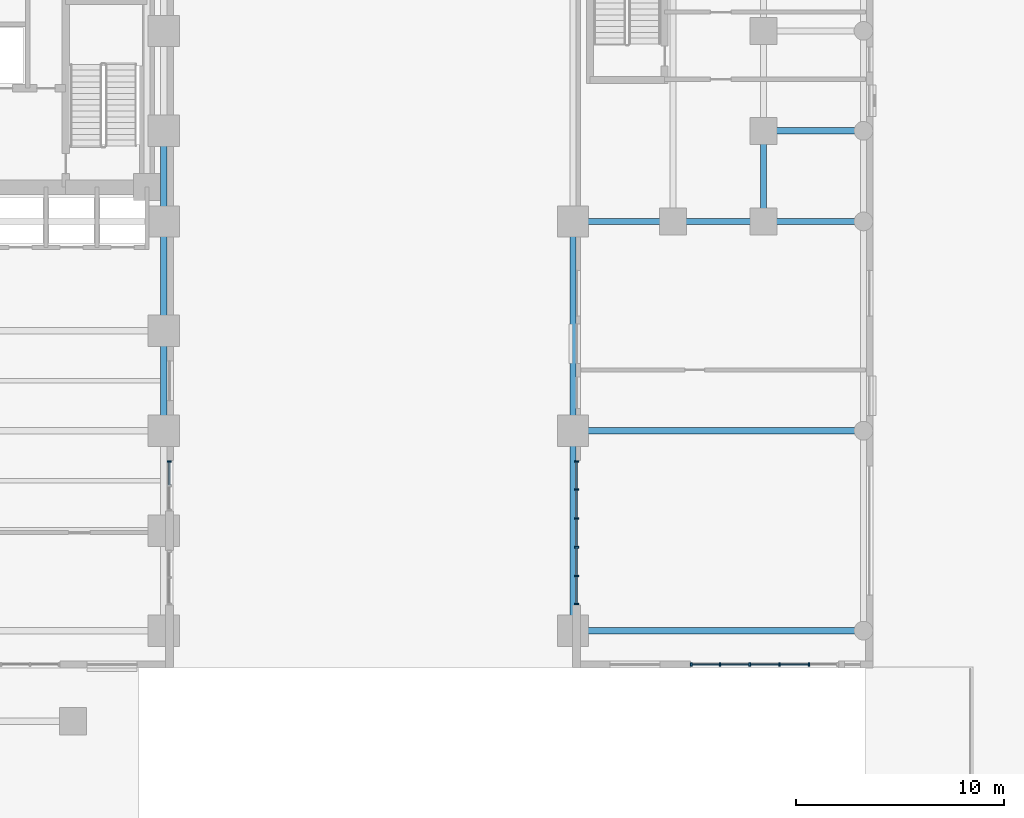
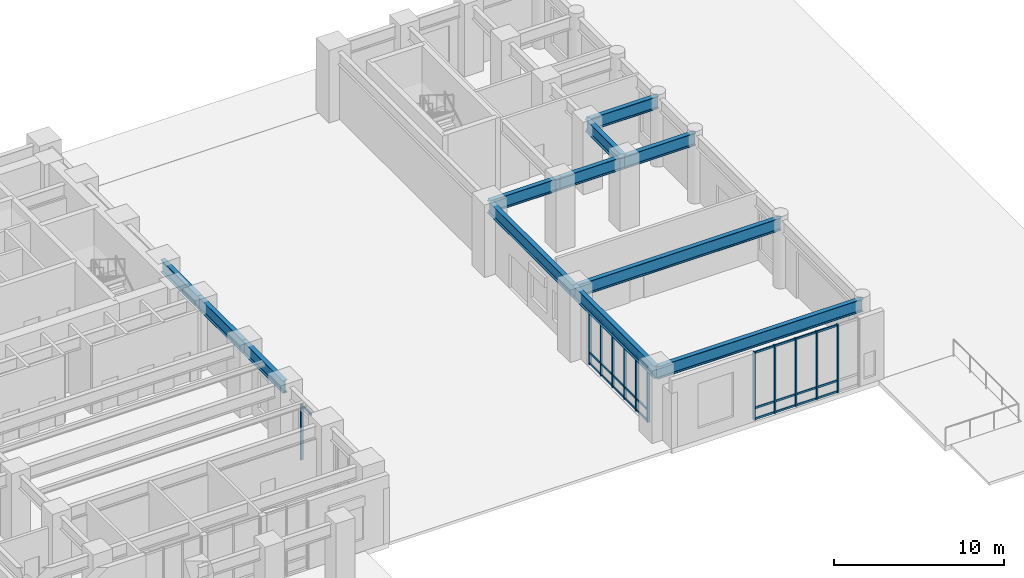
# One storey, part 3 of 16: 40 members, 12 beams, 3 elements without a shape of their own.
"""IFC4 building model written with IfcOpenShell, lengths in metres."""

import ifcopenshell
import ifcopenshell.guid

model = None  # the IFC model being written
_history = None  # IfcOwnerHistory: only IFC2X3 demands one
_inside = {}  # id of a spatial element -> (the spatial element, [elements in it])
_under = {}  # id of a project, library or spatial element -> (it, [spatial elements below it])
_declared = {}  # id of a project -> (the project, [libraries it declares])
_typed = {}  # id of a type object -> (the type object, [elements of that type])
_made_of = {}  # id of a material, layer set ... -> (it, [elements and type objects made of it])


def new_model(schema):
    """Start an empty IFC model of exactly this schema.

    Asked for "IFC4X3", IfcOpenShell would pick the latest addendum, in which some entities
    have other attributes; the version numbers below select the first issue.
    IFC2X3 requires an IfcOwnerHistory on every rooted entity: one is made here for all.
    """
    global model, _history
    if schema == "IFC4X3":
        model = ifcopenshell.file(schema_version=(4, 3, 0, 0))
    else:
        model = ifcopenshell.file(schema=schema)
    _inside.clear()
    _under.clear()
    _declared.clear()
    _typed.clear()
    _made_of.clear()
    _history = None
    if model.schema == "IFC2X3":
        org = make("IfcOrganization", Name="unknown")
        user = make(
            "IfcPersonAndOrganization",
            ThePerson=make("IfcPerson", FamilyName="unknown"),
            TheOrganization=org,
        )
        app = make(
            "IfcApplication",
            ApplicationDeveloper=org,
            Version="unknown",
            ApplicationFullName="unknown",
            ApplicationIdentifier="unknown",
        )
        _history = make(
            "IfcOwnerHistory",
            OwningUser=user,
            OwningApplication=app,
            ChangeAction="ADDED",
            CreationDate=0,
        )
    return model


def make(cls, **values):
    """One entity of the class cls with the attributes given. An attribute that is None is left unset."""
    return model.create_entity(
        cls, **{name: value for name, value in values.items() if value is not None}
    )


def rooted(cls, **values):
    """An entity with a GlobalId (a new one), such as an element, a storey or a relation."""
    return make(cls, GlobalId=ifcopenshell.guid.new(), OwnerHistory=_history, **values)


def si_unit(unit_type, name, prefix=None):
    """IfcSIUnit, for example si_unit("LENGTHUNIT", "METRE", prefix="MILLI")."""
    return make("IfcSIUnit", UnitType=unit_type, Prefix=prefix, Name=name)


def assignment(units):
    """IfcUnitAssignment: the units of a project."""
    return None if units is None else make("IfcUnitAssignment", Units=units)


def point(xyz):
    """IfcCartesianPoint."""
    return None if xyz is None else make("IfcCartesianPoint", Coordinates=xyz)


def direction(xyz):
    """IfcDirection."""
    return None if xyz is None else make("IfcDirection", DirectionRatios=xyz)


def frame(location, z_axis=None, x_axis=None):
    """IfcAxis2Placement3D, a coordinate frame: its origin and axes. An axis left out is left unset."""
    return make(
        "IfcAxis2Placement3D",
        Location=point(location),
        Axis=direction(z_axis),
        RefDirection=direction(x_axis),
    )


def frame_2d(location, x_axis=None):
    """IfcAxis2Placement2D, a coordinate frame in the plane: its origin and x axis."""
    return make(
        "IfcAxis2Placement2D", Location=point(location), RefDirection=direction(x_axis)
    )


def origin():
    """The frame at (0, 0, 0) with its axes left unset."""
    return frame((0.0, 0.0, 0.0))


def origin_2d():
    """The frame at (0, 0) in the plane with its x axis left unset."""
    return frame_2d((0.0, 0.0))


def place(relative_to, where):
    """IfcLocalPlacement: puts the frame where relative to a parent placement (None: the world)."""
    return make(
        "IfcLocalPlacement", PlacementRelTo=relative_to, RelativePlacement=where
    )


def context(
    kind, dimensions, precision=None, world=None, true_north=None, identifier=None
):
    """IfcGeometricRepresentationContext, for example the 3D "Model" context."""
    return make(
        "IfcGeometricRepresentationContext",
        ContextIdentifier=identifier,
        ContextType=kind,
        CoordinateSpaceDimension=dimensions,
        Precision=precision,
        WorldCoordinateSystem=world,
        TrueNorth=true_north,
    )


def subcontext(parent, identifier, kind, view, scale=None):
    """IfcGeometricRepresentationSubContext, for example "Body" below "Model"."""
    return make(
        "IfcGeometricRepresentationSubContext",
        ContextIdentifier=identifier,
        ContextType=kind,
        ParentContext=parent,
        TargetScale=scale,
        TargetView=view,
    )


def project(units=None, contexts=None):
    """IfcProject with its units and contexts."""
    return rooted(
        "IfcProject",
        Name="project",
        RepresentationContexts=contexts,
        UnitsInContext=assignment(units),
    )


def spatial(cls, under=None, at=None, **own):
    """A site, building, storey or space (cls), placed at a placement, below another one or the project."""
    s = rooted(cls, ObjectPlacement=at, **own)
    if under is not None:
        _under.setdefault(under.id(), (under, []))[1].append(s)
    return s


def profile(cls, at=None, kind="AREA", **sizes):
    """A parametric profile (cls). Its sizes go by their IFC names, for example OverallWidth=200.0."""
    return make(cls, ProfileType=kind, Position=at, **sizes)


def rectangle(**sizes):
    """IfcRectangleProfileDef."""
    return profile("IfcRectangleProfileDef", **sizes)


def i_section(**sizes):
    """IfcIShapeProfileDef."""
    return profile("IfcIShapeProfileDef", **sizes)


def extrude(swept, where, along, depth):
    """IfcExtrudedAreaSolid: the profile swept, set in the frame where, extruded along a direction by depth."""
    return make(
        "IfcExtrudedAreaSolid",
        SweptArea=swept,
        Position=where,
        ExtrudedDirection=direction(along),
        Depth=depth,
    )


def shape(context_of_items, identifier, shape_type, items):
    """IfcShapeRepresentation: the items that make up one representation, for example the "Body"."""
    return make(
        "IfcShapeRepresentation",
        ContextOfItems=context_of_items,
        RepresentationIdentifier=identifier,
        RepresentationType=shape_type,
        Items=items,
    )


def material(Name=None, Category=None):
    """IfcMaterial."""
    return make("IfcMaterial", Name=Name, Category=Category)


def material_profile(
    of_material, cross_section, Name=None, Category=None, Priority=None
):
    """IfcMaterialProfile: a cross section and its material."""
    return make(
        "IfcMaterialProfile",
        Name=Name,
        Material=of_material,
        Profile=cross_section,
        Priority=Priority,
        Category=Category,
    )


def profile_set(profiles, Name=None, composite=None):
    """IfcMaterialProfileSet."""
    return make(
        "IfcMaterialProfileSet",
        Name=Name,
        MaterialProfiles=profiles,
        CompositeProfile=composite,
    )


def made_of(thing, what):
    """Note that an element or type object is made of a material, layer set ...; save() writes the relation."""
    if what is not None:
        _made_of.setdefault(what.id(), (what, []))[1].append(thing)
    return thing


def type_object(cls, material=None, **own):
    """A type object (cls), such as IfcWallType, which elements share."""
    return made_of(rooted(cls, **own), material)


def element(
    cls,
    number,
    at=None,
    inside=None,
    cuts=None,
    type_object=None,
    material=None,
    context=None,
    identifier="Body",
    shape_type=None,
    held_by="IfcProductDefinitionShape",
    body=None,
    shapes=None,
    **own,
):
    """One element of the class cls, such as IfcWall. Its Tag is "e" and its number.

    at: its placement. inside: the storey or other place that contains it. cuts: it is an
    opening in that element (IfcRelVoidsElement). A single representation is given by context,
    identifier, shape_type and body (its items); several are given by shapes. held_by: the class
    of the entity that holds the representations. save() writes the other relations.
    """
    e = rooted(cls, Tag="e%d" % number, ObjectPlacement=at, **own)
    if body is not None:
        shapes = [shape(context, identifier, shape_type, body)]
    if shapes is not None:
        e.Representation = make(held_by, Representations=shapes)
    if inside is not None:
        _inside.setdefault(inside.id(), (inside, []))[1].append(e)
    if cuts is not None:
        rooted(
            "IfcRelVoidsElement", RelatingBuildingElement=cuts, RelatedOpeningElement=e
        )
    if type_object is not None:
        _typed.setdefault(type_object.id(), (type_object, []))[1].append(e)
    return made_of(e, material)


def aggregate(whole, parts):
    """IfcRelAggregates: a whole, such as a stair, and the parts it consists of."""
    return rooted("IfcRelAggregates", RelatingObject=whole, RelatedObjects=parts)


def save(model, path):
    """Write the relations noted so far, then the file.

    IfcRelAggregates (storeys below a building ...), IfcRelContainedInSpatialStructure (elements
    in a storey), IfcRelDefinesByType, IfcRelAssociatesMaterial and IfcRelDeclares: one each for
    every whole, place, type object, material and project.
    """
    for whole, parts in _under.values():
        aggregate(whole, parts)
    for where, things in _inside.values():
        rooted(
            "IfcRelContainedInSpatialStructure",
            RelatedElements=things,
            RelatingStructure=where,
        )
    for kind, things in _typed.values():
        rooted("IfcRelDefinesByType", RelatedObjects=things, RelatingType=kind)
    for what, things in _made_of.values():
        rooted("IfcRelAssociatesMaterial", RelatedObjects=things, RelatingMaterial=what)
    for by, libraries in _declared.values():
        rooted("IfcRelDeclares", RelatingContext=by, RelatedDefinitions=libraries)
    model.write(path)


model = new_model("IFC4")

# Units and contexts
model_context = context("Model", 3, precision=1e-05, world=origin(), true_north=direction((0.0, 1.0)))
body_context = subcontext(model_context, "Body", "Model", "MODEL_VIEW")
ifc_project = project(units=[si_unit("LENGTHUNIT", "METRE"), si_unit("AREAUNIT", "SQUARE_METRE"), si_unit("VOLUMEUNIT", "CUBIC_METRE"), si_unit("PLANEANGLEUNIT", "RADIAN"), si_unit("MASSUNIT", "GRAM", prefix="KILO")], contexts=[model_context])

# Site, building, storey
site_placement = place(None, origin())
site = spatial("IfcSite", under=ifc_project, at=site_placement, CompositionType="ELEMENT")
building_placement = place(site_placement, origin())
building = spatial("IfcBuilding", under=site, at=building_placement, Name="Orvandelia Arch Residences", CompositionType="ELEMENT")
storey_placement = place(building_placement, origin())
storey = spatial("IfcBuildingStorey", under=building, at=storey_placement, Name="L00", CompositionType="ELEMENT", Elevation=0.0)

# Beams
ifc_material_1 = material(Name="Structural Steel HSA650 (650 MPa)", Category="steel")
ifc_material_profile_1 = material_profile(ifc_material_1, i_section(OverallWidth=0.300048828125, OverallDepth=0.89990234375, WebThickness=0.01611328125, FlangeThickness=0.028076171875, FilletRadius=0.028076171875, at=origin_2d()), Name="Structural Steel HSA650 (650 MPa)", Category="steel")
ifc_profile_set_1 = profile_set([ifc_material_profile_1], Name="Structural Steel HSA650 (650 MPa)")
beam_type = type_object("IfcBeamType", Name="BM-GRD-H900", PredefinedType="BEAM", material=ifc_profile_set_1)
beam_1_placement = place(storey_placement, frame((23.550048828125, 19.199951171875, 4.43994140625), z_axis=(0.0, 1.0, 0.0), x_axis=(-1.0, 0.0, 0.0)))
element("IfcBeam", 1, at=beam_1_placement, inside=storey, type_object=beam_type, Name="Structural Frame Beam L00-NS-016", PredefinedType="BEAM", context=body_context, shape_type="SweptSolid", body=[
    extrude(i_section(OverallWidth=0.300048828125, OverallDepth=0.89990234375, WebThickness=0.01611328125, FlangeThickness=0.028076171875, FilletRadius=0.028076171875, at=origin_2d()), origin(), (0.0, 0.0, 1.0), 4.800048828125),
])
beam_2_placement = place(storey_placement, frame((23.550048828125, 24.0, 4.43994140625), z_axis=(0.0, 1.0, 0.0), x_axis=(-1.0, 0.0, 0.0)))
element("IfcBeam", 2, at=beam_2_placement, inside=storey, type_object=beam_type, Name="Structural Frame Beam L00-NS-017", PredefinedType="BEAM", context=body_context, shape_type="SweptSolid", body=[
    extrude(i_section(OverallWidth=0.300048828125, OverallDepth=0.89990234375, WebThickness=0.01611328125, FlangeThickness=0.028076171875, FilletRadius=0.028076171875, at=origin_2d()), origin(), (0.0, 0.0, 1.0), 5.25),
])
beam_3_placement = place(storey_placement, frame((23.550048828125, 29.25, 4.43994140625), z_axis=(0.0, 1.0, 0.0), x_axis=(-1.0, 0.0, 0.0)))
element("IfcBeam", 3, at=beam_3_placement, inside=storey, type_object=beam_type, Name="Structural Frame Beam L00-NS-018", PredefinedType="BEAM", context=body_context, shape_type="SweptSolid", body=[
    extrude(i_section(OverallWidth=0.300048828125, OverallDepth=0.89990234375, WebThickness=0.01611328125, FlangeThickness=0.028076171875, FilletRadius=0.028076171875, at=origin_2d()), origin(), (0.0, 0.0, 1.0), 4.35009765625),
])
beam_4_placement = place(storey_placement, frame((43.199951171875, 9.60009765625, 4.43994140625), z_axis=(0.0, 1.0, 0.0), x_axis=(-1.0, 0.0, 0.0)))
element("IfcBeam", 4, at=beam_4_placement, inside=storey, type_object=beam_type, Name="Structural Frame Beam L00-NS-022", PredefinedType="BEAM", context=body_context, shape_type="SweptSolid", body=[
    extrude(i_section(OverallWidth=0.300048828125, OverallDepth=0.89990234375, WebThickness=0.01611328125, FlangeThickness=0.028076171875, FilletRadius=0.028076171875, at=origin_2d()), origin(), (0.0, 0.0, 1.0), 9.599853515625),
])
beam_5_placement = place(storey_placement, frame((43.199951171875, 19.199951171875, 4.43994140625), z_axis=(0.0, 1.0, 0.0), x_axis=(-1.0, 0.0, 0.0)))
element("IfcBeam", 5, at=beam_5_placement, inside=storey, type_object=beam_type, Name="Structural Frame Beam L00-NS-023", PredefinedType="BEAM", context=body_context, shape_type="SweptSolid", body=[
    extrude(i_section(OverallWidth=0.300048828125, OverallDepth=0.89990234375, WebThickness=0.01611328125, FlangeThickness=0.028076171875, FilletRadius=0.028076171875, at=origin_2d()), origin(), (0.0, 0.0, 1.0), 10.050048828125),
])
beam_6_placement = place(storey_placement, frame((52.35009765625, 29.25, 4.43994140625), z_axis=(0.0, 1.0, 0.0), x_axis=(-1.0, 0.0, 0.0)))
element("IfcBeam", 6, at=beam_6_placement, inside=storey, type_object=beam_type, Name="Structural Frame Beam L00-NS-026", PredefinedType="BEAM", context=body_context, shape_type="SweptSolid", body=[
    extrude(i_section(OverallWidth=0.300048828125, OverallDepth=0.89990234375, WebThickness=0.01611328125, FlangeThickness=0.028076171875, FilletRadius=0.028076171875, at=origin_2d()), origin(), (0.0, 0.0, 1.0), 4.35009765625),
])
for number, where, z_axis, x_axis, name in (
    (7, (43.199951171875, 9.60009765625, 4.43994140625), (1.0, 0.0, 0.0), (0.0, 1.0, 0.0), "Structural Frame Girder L00-EW-040"),
    (8, (43.199951171875, 19.199951171875, 4.43994140625), (1.0, 0.0, 0.0), (0.0, 1.0, 0.0), "Structural Frame Girder L00-EW-044"),
):
    element("IfcBeam", number, at=place(storey_placement, frame(where, z_axis=z_axis, x_axis=x_axis)), inside=storey, type_object=beam_type, Name=name, PredefinedType="BEAM", context=body_context, shape_type="SweptSolid", body=[
        extrude(i_section(OverallWidth=0.300048828125, OverallDepth=0.89990234375, WebThickness=0.01611328125, FlangeThickness=0.028076171875, FilletRadius=0.028076171875, at=origin_2d()), origin(), (0.0, 0.0, 1.0), 13.949951171875),
    ])
beam_7_placement = place(storey_placement, frame((43.199951171875, 29.25, 4.43994140625), z_axis=(1.0, 0.0, 0.0), x_axis=(0.0, 1.0, 0.0)))
element("IfcBeam", 9, at=beam_7_placement, inside=storey, type_object=beam_type, Name="Structural Frame Girder L00-EW-048", PredefinedType="BEAM", context=body_context, shape_type="SweptSolid", body=[
    extrude(i_section(OverallWidth=0.300048828125, OverallDepth=0.89990234375, WebThickness=0.01611328125, FlangeThickness=0.028076171875, FilletRadius=0.028076171875, at=origin_2d()), origin(), (0.0, 0.0, 1.0), 4.800048828125),
])
beam_8_placement = place(storey_placement, frame((48.0, 29.25, 4.43994140625), z_axis=(1.0, 0.0, 0.0), x_axis=(0.0, 1.0, 0.0)))
element("IfcBeam", 10, at=beam_8_placement, inside=storey, type_object=beam_type, Name="Structural Frame Girder L00-EW-049", PredefinedType="BEAM", context=body_context, shape_type="SweptSolid", body=[
    extrude(i_section(OverallWidth=0.300048828125, OverallDepth=0.89990234375, WebThickness=0.01611328125, FlangeThickness=0.028076171875, FilletRadius=0.028076171875, at=origin_2d()), origin(), (0.0, 0.0, 1.0), 4.35009765625),
])
for number, where, z_axis, x_axis, name in (
    (11, (52.35009765625, 29.25, 4.43994140625), (1.0, 0.0, 0.0), (0.0, 1.0, 0.0), "Structural Frame Girder L00-EW-050"),
    (12, (52.35009765625, 33.60009765625, 4.43994140625), (1.0, 0.0, 0.0), (0.0, 1.0, 0.0), "Structural Frame Girder L00-EW-053"),
):
    element("IfcBeam", number, at=place(storey_placement, frame(where, z_axis=z_axis, x_axis=x_axis)), inside=storey, type_object=beam_type, Name=name, PredefinedType="BEAM", context=body_context, shape_type="SweptSolid", body=[
        extrude(i_section(OverallWidth=0.300048828125, OverallDepth=0.89990234375, WebThickness=0.01611328125, FlangeThickness=0.028076171875, FilletRadius=0.028076171875, at=origin_2d()), origin(), (0.0, 0.0, 1.0), 4.7998046875),
    ])

# Curtain wall, members
ifc_material_2 = material(Name="Anodised Bronze Curtain Wall Assembly")
curtain_wall_type_1 = type_object("IfcCurtainWallType", Name="CW-SYS1-PODIUM", PredefinedType="NOTDEFINED", material=ifc_material_2)
curtain_wall_1_placement = place(storey_placement, origin())
curtain_wall_1 = element("IfcCurtainWall", 13, at=curtain_wall_1_placement, inside=storey, type_object=curtain_wall_type_1, Name="East Flagship Storefront Curtain Wall 4", PredefinedType="NOTDEFINED")
ifc_material_3 = material(Name="Anodised Aluminium Alloy 6063-T6", Category="aluminium")
ifc_material_profile_2 = material_profile(ifc_material_3, rectangle(XDim=0.080078125, YDim=0.179931640625, at=origin_2d()), Name="Anodised Aluminium Alloy 6063-T6", Category="aluminium")
ifc_profile_set_2 = profile_set([ifc_material_profile_2], Name="Anodised Aluminium Alloy 6063-T6")
member_type_1 = type_object("IfcMemberType", Name="CW-MULLION-80x160", PredefinedType="MULLION", material=ifc_profile_set_2)
member_1_placement = place(storey_placement, frame((48.8798828125, 7.97998046875, 0.0), z_axis=(0.0, 0.0, 1.0), x_axis=(1.0, 0.0, 0.0)))
member_1 = element("IfcMember", 14, at=member_1_placement, type_object=member_type_1, Name="Curtain Wall Mullion CW-L00-4-M1", PredefinedType="MULLION", context=body_context, shape_type="SweptSolid", body=[
    extrude(rectangle(XDim=0.080078125, YDim=0.179931640625, at=origin_2d()), origin(), (0.0, 0.0, 1.0), 4.889892578125),
])
member_2_placement = place(storey_placement, frame((50.263916015625, 7.97998046875, 0.0), z_axis=(0.0, 0.0, 1.0), x_axis=(1.0, 0.0, 0.0)))
member_2 = element("IfcMember", 15, at=member_2_placement, type_object=member_type_1, Name="Curtain Wall Mullion CW-L00-4-M2", PredefinedType="MULLION", context=body_context, shape_type="SweptSolid", body=[
    extrude(rectangle(XDim=0.080078125, YDim=0.179931640625, at=origin_2d()), origin(), (0.0, 0.0, 1.0), 4.889892578125),
])
member_3_placement = place(storey_placement, frame((51.68798828125, 7.97998046875, 0.0), z_axis=(0.0, 0.0, 1.0), x_axis=(1.0, 0.0, 0.0)))
member_3 = element("IfcMember", 16, at=member_3_placement, type_object=member_type_1, Name="Curtain Wall Mullion CW-L00-4-M3", PredefinedType="MULLION", context=body_context, shape_type="SweptSolid", body=[
    extrude(rectangle(XDim=0.080078125, YDim=0.179931640625, at=origin_2d()), origin(), (0.0, 0.0, 1.0), 4.889892578125),
])
member_4_placement = place(storey_placement, frame((53.112060546875, 7.97998046875, 0.0), z_axis=(0.0, 0.0, 1.0), x_axis=(1.0, 0.0, 0.0)))
member_4 = element("IfcMember", 17, at=member_4_placement, type_object=member_type_1, Name="Curtain Wall Mullion CW-L00-4-M4", PredefinedType="MULLION", context=body_context, shape_type="SweptSolid", body=[
    extrude(rectangle(XDim=0.080078125, YDim=0.179931640625, at=origin_2d()), origin(), (0.0, 0.0, 1.0), 4.889892578125),
])
member_5_placement = place(storey_placement, frame((54.535888671875, 7.97998046875, 0.0), z_axis=(0.0, 0.0, 1.0), x_axis=(1.0, 0.0, 0.0)))
member_5 = element("IfcMember", 18, at=member_5_placement, type_object=member_type_1, Name="Curtain Wall Mullion CW-L00-4-M5", PredefinedType="MULLION", context=body_context, shape_type="SweptSolid", body=[
    extrude(rectangle(XDim=0.080078125, YDim=0.179931640625, at=origin_2d()), origin(), (0.0, 0.0, 1.0), 4.889892578125),
])

# Curtain wall, member
curtain_wall_type_2 = type_object("IfcCurtainWallType", Name="CW-SYS2-ARCH", PredefinedType="NOTDEFINED", material=ifc_material_2)
curtain_wall_2_placement = place(storey_placement, origin())
curtain_wall_2 = element("IfcCurtainWall", 19, at=curtain_wall_2_placement, inside=storey, type_object=curtain_wall_type_2, Name="Arch West Pier Glazed Arcade 6", PredefinedType="NOTDEFINED")
member_6_placement = place(storey_placement, frame((23.820068359375, 17.719970703125, 0.0), z_axis=(0.0, 0.0, 1.0), x_axis=(0.0, 1.0, 0.0)))
member_6 = element("IfcMember", 20, at=member_6_placement, type_object=member_type_1, Name="Curtain Wall Mullion CW-L00-6-M3", PredefinedType="MULLION", context=body_context, shape_type="SweptSolid", body=[
    extrude(rectangle(XDim=0.080078125, YDim=0.179931640625, at=origin_2d()), origin(), (0.0, 0.0, 1.0), 3.989990234375),
])

# Curtain wall, members
curtain_wall_3_placement = place(storey_placement, origin())
curtain_wall_3 = element("IfcCurtainWall", 21, at=curtain_wall_3_placement, inside=storey, type_object=curtain_wall_type_2, Name="Arch East Pier Glazed Arcade 7", PredefinedType="NOTDEFINED")
member_7_placement = place(storey_placement, frame((43.3798828125, 10.8798828125, 0.0), z_axis=(0.0, 0.0, 1.0), x_axis=(0.0, 1.0, 0.0)))
member_7 = element("IfcMember", 22, at=member_7_placement, type_object=member_type_1, Name="Curtain Wall Mullion CW-L00-7-M1", PredefinedType="MULLION", context=body_context, shape_type="SweptSolid", body=[
    extrude(rectangle(XDim=0.080078125, YDim=0.179931640625, at=origin_2d()), origin(), (0.0, 0.0, 1.0), 3.989990234375),
])
member_8_placement = place(storey_placement, frame((43.3798828125, 12.22412109375, 0.0), z_axis=(0.0, 0.0, 1.0), x_axis=(0.0, 1.0, 0.0)))
member_8 = element("IfcMember", 23, at=member_8_placement, type_object=member_type_1, Name="Curtain Wall Mullion CW-L00-7-M2", PredefinedType="MULLION", context=body_context, shape_type="SweptSolid", body=[
    extrude(rectangle(XDim=0.080078125, YDim=0.179931640625, at=origin_2d()), origin(), (0.0, 0.0, 1.0), 3.989990234375),
])
member_9_placement = place(storey_placement, frame((43.3798828125, 13.60791015625, 0.0), z_axis=(0.0, 0.0, 1.0), x_axis=(0.0, 1.0, 0.0)))
member_9 = element("IfcMember", 24, at=member_9_placement, type_object=member_type_1, Name="Curtain Wall Mullion CW-L00-7-M3", PredefinedType="MULLION", context=body_context, shape_type="SweptSolid", body=[
    extrude(rectangle(XDim=0.080078125, YDim=0.179931640625, at=origin_2d()), origin(), (0.0, 0.0, 1.0), 3.989990234375),
])
member_10_placement = place(storey_placement, frame((43.3798828125, 14.991943359375, 0.0), z_axis=(0.0, 0.0, 1.0), x_axis=(0.0, 1.0, 0.0)))
member_10 = element("IfcMember", 25, at=member_10_placement, type_object=member_type_1, Name="Curtain Wall Mullion CW-L00-7-M4", PredefinedType="MULLION", context=body_context, shape_type="SweptSolid", body=[
    extrude(rectangle(XDim=0.080078125, YDim=0.179931640625, at=origin_2d()), origin(), (0.0, 0.0, 1.0), 3.989990234375),
])
member_11_placement = place(storey_placement, frame((43.3798828125, 16.3759765625, 0.0), z_axis=(0.0, 0.0, 1.0), x_axis=(0.0, 1.0, 0.0)))
member_11 = element("IfcMember", 26, at=member_11_placement, type_object=member_type_1, Name="Curtain Wall Mullion CW-L00-7-M5", PredefinedType="MULLION", context=body_context, shape_type="SweptSolid", body=[
    extrude(rectangle(XDim=0.080078125, YDim=0.179931640625, at=origin_2d()), origin(), (0.0, 0.0, 1.0), 3.989990234375),
])
member_12_placement = place(storey_placement, frame((43.3798828125, 17.719970703125, 0.0), z_axis=(0.0, 0.0, 1.0), x_axis=(0.0, 1.0, 0.0)))
member_12 = element("IfcMember", 27, at=member_12_placement, type_object=member_type_1, Name="Curtain Wall Mullion CW-L00-7-M6", PredefinedType="MULLION", context=body_context, shape_type="SweptSolid", body=[
    extrude(rectangle(XDim=0.080078125, YDim=0.179931640625, at=origin_2d()), origin(), (0.0, 0.0, 1.0), 3.989990234375),
])

# Member
ifc_material_profile_3 = material_profile(ifc_material_3, rectangle(XDim=0.080078125, YDim=0.139892578125, at=origin_2d()), Name="Anodised Aluminium Alloy 6063-T6", Category="aluminium")
ifc_profile_set_3 = profile_set([ifc_material_profile_3], Name="Anodised Aluminium Alloy 6063-T6")
member_type_2 = type_object("IfcMemberType", Name="CW-TRANSOM-80x140", PredefinedType="USERDEFINED", material=ifc_profile_set_3)
member_13_placement = place(storey_placement, frame((48.905029296875, 7.97998046875, 0.070068359375), z_axis=(1.0, 0.0, 0.0), x_axis=(0.0, 1.0, 0.0)))
member_13 = element("IfcMember", 28, at=member_13_placement, type_object=member_type_2, Name="Curtain Wall Transom CW-L00-4-T1-1", ObjectType="TRANSOM", PredefinedType="USERDEFINED", context=body_context, shape_type="SweptSolid", body=[
    extrude(rectangle(XDim=0.080078125, YDim=0.139892578125, at=origin_2d()), origin(), (0.0, 0.0, 1.0), 1.333984375),
])

member_14_placement = place(storey_placement, frame((48.905029296875, 7.97998046875, 0.85009765625), z_axis=(1.0, 0.0, 0.0), x_axis=(0.0, 1.0, 0.0)))
member_14 = element("IfcMember", 29, at=member_14_placement, type_object=member_type_2, Name="Curtain Wall Transom CW-L00-4-T1-2", ObjectType="TRANSOM", PredefinedType="USERDEFINED", context=body_context, shape_type="SweptSolid", body=[
    extrude(rectangle(XDim=0.080078125, YDim=0.139892578125, at=origin_2d()), origin(), (0.0, 0.0, 1.0), 1.333984375),
])

member_15_placement = place(storey_placement, frame((48.905029296875, 7.97998046875, 4.820068359375), z_axis=(1.0, 0.0, 0.0), x_axis=(0.0, 1.0, 0.0)))
member_15 = element("IfcMember", 30, at=member_15_placement, type_object=member_type_2, Name="Curtain Wall Transom CW-L00-4-T1-3", ObjectType="TRANSOM", PredefinedType="USERDEFINED", context=body_context, shape_type="SweptSolid", body=[
    extrude(rectangle(XDim=0.080078125, YDim=0.139892578125, at=origin_2d()), origin(), (0.0, 0.0, 1.0), 1.333984375),
])

member_16_placement = place(storey_placement, frame((50.2890625, 7.97998046875, 0.070068359375), z_axis=(1.0, 0.0, 0.0), x_axis=(0.0, 1.0, 0.0)))
member_16 = element("IfcMember", 31, at=member_16_placement, type_object=member_type_2, Name="Curtain Wall Transom CW-L00-4-T2-1", ObjectType="TRANSOM", PredefinedType="USERDEFINED", context=body_context, shape_type="SweptSolid", body=[
    extrude(rectangle(XDim=0.080078125, YDim=0.139892578125, at=origin_2d()), origin(), (0.0, 0.0, 1.0), 1.3740234375),
])

member_17_placement = place(storey_placement, frame((50.2890625, 7.97998046875, 0.85009765625), z_axis=(1.0, 0.0, 0.0), x_axis=(0.0, 1.0, 0.0)))
member_17 = element("IfcMember", 32, at=member_17_placement, type_object=member_type_2, Name="Curtain Wall Transom CW-L00-4-T2-2", ObjectType="TRANSOM", PredefinedType="USERDEFINED", context=body_context, shape_type="SweptSolid", body=[
    extrude(rectangle(XDim=0.080078125, YDim=0.139892578125, at=origin_2d()), origin(), (0.0, 0.0, 1.0), 1.3740234375),
])

member_18_placement = place(storey_placement, frame((50.2890625, 7.97998046875, 4.820068359375), z_axis=(1.0, 0.0, 0.0), x_axis=(0.0, 1.0, 0.0)))
member_18 = element("IfcMember", 33, at=member_18_placement, type_object=member_type_2, Name="Curtain Wall Transom CW-L00-4-T2-3", ObjectType="TRANSOM", PredefinedType="USERDEFINED", context=body_context, shape_type="SweptSolid", body=[
    extrude(rectangle(XDim=0.080078125, YDim=0.139892578125, at=origin_2d()), origin(), (0.0, 0.0, 1.0), 1.3740234375),
])

member_19_placement = place(storey_placement, frame((51.712890625, 7.97998046875, 0.070068359375), z_axis=(1.0, 0.0, 0.0), x_axis=(0.0, 1.0, 0.0)))
member_19 = element("IfcMember", 34, at=member_19_placement, type_object=member_type_2, Name="Curtain Wall Transom CW-L00-4-T3-1", ObjectType="TRANSOM", PredefinedType="USERDEFINED", context=body_context, shape_type="SweptSolid", body=[
    extrude(rectangle(XDim=0.080078125, YDim=0.139892578125, at=origin_2d()), origin(), (0.0, 0.0, 1.0), 1.3740234375),
])

member_20_placement = place(storey_placement, frame((51.712890625, 7.97998046875, 0.85009765625), z_axis=(1.0, 0.0, 0.0), x_axis=(0.0, 1.0, 0.0)))
member_20 = element("IfcMember", 35, at=member_20_placement, type_object=member_type_2, Name="Curtain Wall Transom CW-L00-4-T3-2", ObjectType="TRANSOM", PredefinedType="USERDEFINED", context=body_context, shape_type="SweptSolid", body=[
    extrude(rectangle(XDim=0.080078125, YDim=0.139892578125, at=origin_2d()), origin(), (0.0, 0.0, 1.0), 1.3740234375),
])

member_21_placement = place(storey_placement, frame((51.712890625, 7.97998046875, 4.820068359375), z_axis=(1.0, 0.0, 0.0), x_axis=(0.0, 1.0, 0.0)))
member_21 = element("IfcMember", 36, at=member_21_placement, type_object=member_type_2, Name="Curtain Wall Transom CW-L00-4-T3-3", ObjectType="TRANSOM", PredefinedType="USERDEFINED", context=body_context, shape_type="SweptSolid", body=[
    extrude(rectangle(XDim=0.080078125, YDim=0.139892578125, at=origin_2d()), origin(), (0.0, 0.0, 1.0), 1.3740234375),
])

member_22_placement = place(storey_placement, frame((53.136962890625, 7.97998046875, 0.070068359375), z_axis=(1.0, 0.0, 0.0), x_axis=(0.0, 1.0, 0.0)))
member_22 = element("IfcMember", 37, at=member_22_placement, type_object=member_type_2, Name="Curtain Wall Transom CW-L00-4-T4-1", ObjectType="TRANSOM", PredefinedType="USERDEFINED", context=body_context, shape_type="SweptSolid", body=[
    extrude(rectangle(XDim=0.080078125, YDim=0.139892578125, at=origin_2d()), origin(), (0.0, 0.0, 1.0), 1.3740234375),
])

member_23_placement = place(storey_placement, frame((53.136962890625, 7.97998046875, 0.85009765625), z_axis=(1.0, 0.0, 0.0), x_axis=(0.0, 1.0, 0.0)))
member_23 = element("IfcMember", 38, at=member_23_placement, type_object=member_type_2, Name="Curtain Wall Transom CW-L00-4-T4-2", ObjectType="TRANSOM", PredefinedType="USERDEFINED", context=body_context, shape_type="SweptSolid", body=[
    extrude(rectangle(XDim=0.080078125, YDim=0.139892578125, at=origin_2d()), origin(), (0.0, 0.0, 1.0), 1.3740234375),
])

member_24_placement = place(storey_placement, frame((53.136962890625, 7.97998046875, 4.820068359375), z_axis=(1.0, 0.0, 0.0), x_axis=(0.0, 1.0, 0.0)))
member_24 = element("IfcMember", 39, at=member_24_placement, type_object=member_type_2, Name="Curtain Wall Transom CW-L00-4-T4-3", ObjectType="TRANSOM", PredefinedType="USERDEFINED", context=body_context, shape_type="SweptSolid", body=[
    extrude(rectangle(XDim=0.080078125, YDim=0.139892578125, at=origin_2d()), origin(), (0.0, 0.0, 1.0), 1.3740234375),
])

aggregate(curtain_wall_1, [member_1, member_2, member_3, member_4, member_5, member_13, member_14, member_15, member_16, member_17, member_18, member_19, member_20, member_21, member_22, member_23, member_24])

member_25_placement = place(storey_placement, frame((23.820068359375, 16.580078125, 3.919921875), z_axis=(0.0, 1.0, 0.0), x_axis=(-1.0, 0.0, 0.0)))
member_25 = element("IfcMember", 40, at=member_25_placement, type_object=member_type_2, Name="Curtain Wall Transom CW-L00-6-T2-3", ObjectType="TRANSOM", PredefinedType="USERDEFINED", context=body_context, shape_type="SweptSolid", body=[
    extrude(rectangle(XDim=0.080078125, YDim=0.139892578125, at=origin_2d()), origin(), (0.0, 0.0, 1.0), 1.114990234375),
])

aggregate(curtain_wall_2, [member_6, member_25])

member_26_placement = place(storey_placement, frame((43.3798828125, 10.905029296875, 0.070068359375), z_axis=(0.0, 1.0, 0.0), x_axis=(-1.0, 0.0, 0.0)))
member_26 = element("IfcMember", 41, at=member_26_placement, type_object=member_type_2, Name="Curtain Wall Transom CW-L00-7-T1-1", ObjectType="TRANSOM", PredefinedType="USERDEFINED", context=body_context, shape_type="SweptSolid", body=[
    extrude(rectangle(XDim=0.080078125, YDim=0.139892578125, at=origin_2d()), origin(), (0.0, 0.0, 1.0), 1.2939453125),
])

member_27_placement = place(storey_placement, frame((43.3798828125, 10.905029296875, 0.85009765625), z_axis=(0.0, 1.0, 0.0), x_axis=(-1.0, 0.0, 0.0)))
member_27 = element("IfcMember", 42, at=member_27_placement, type_object=member_type_2, Name="Curtain Wall Transom CW-L00-7-T1-2", ObjectType="TRANSOM", PredefinedType="USERDEFINED", context=body_context, shape_type="SweptSolid", body=[
    extrude(rectangle(XDim=0.080078125, YDim=0.139892578125, at=origin_2d()), origin(), (0.0, 0.0, 1.0), 1.2939453125),
])

member_28_placement = place(storey_placement, frame((43.3798828125, 10.905029296875, 3.919921875), z_axis=(0.0, 1.0, 0.0), x_axis=(-1.0, 0.0, 0.0)))
member_28 = element("IfcMember", 43, at=member_28_placement, type_object=member_type_2, Name="Curtain Wall Transom CW-L00-7-T1-3", ObjectType="TRANSOM", PredefinedType="USERDEFINED", context=body_context, shape_type="SweptSolid", body=[
    extrude(rectangle(XDim=0.080078125, YDim=0.139892578125, at=origin_2d()), origin(), (0.0, 0.0, 1.0), 1.2939453125),
])

member_29_placement = place(storey_placement, frame((43.3798828125, 12.2490234375, 0.070068359375), z_axis=(0.0, 1.0, 0.0), x_axis=(-1.0, 0.0, 0.0)))
member_29 = element("IfcMember", 44, at=member_29_placement, type_object=member_type_2, Name="Curtain Wall Transom CW-L00-7-T2-1", ObjectType="TRANSOM", PredefinedType="USERDEFINED", context=body_context, shape_type="SweptSolid", body=[
    extrude(rectangle(XDim=0.080078125, YDim=0.139892578125, at=origin_2d()), origin(), (0.0, 0.0, 1.0), 1.333984375),
])

member_30_placement = place(storey_placement, frame((43.3798828125, 12.2490234375, 0.85009765625), z_axis=(0.0, 1.0, 0.0), x_axis=(-1.0, 0.0, 0.0)))
member_30 = element("IfcMember", 45, at=member_30_placement, type_object=member_type_2, Name="Curtain Wall Transom CW-L00-7-T2-2", ObjectType="TRANSOM", PredefinedType="USERDEFINED", context=body_context, shape_type="SweptSolid", body=[
    extrude(rectangle(XDim=0.080078125, YDim=0.139892578125, at=origin_2d()), origin(), (0.0, 0.0, 1.0), 1.333984375),
])

member_31_placement = place(storey_placement, frame((43.3798828125, 12.2490234375, 3.919921875), z_axis=(0.0, 1.0, 0.0), x_axis=(-1.0, 0.0, 0.0)))
member_31 = element("IfcMember", 46, at=member_31_placement, type_object=member_type_2, Name="Curtain Wall Transom CW-L00-7-T2-3", ObjectType="TRANSOM", PredefinedType="USERDEFINED", context=body_context, shape_type="SweptSolid", body=[
    extrude(rectangle(XDim=0.080078125, YDim=0.139892578125, at=origin_2d()), origin(), (0.0, 0.0, 1.0), 1.333984375),
])

member_32_placement = place(storey_placement, frame((43.3798828125, 13.633056640625, 0.070068359375), z_axis=(0.0, 1.0, 0.0), x_axis=(-1.0, 0.0, 0.0)))
member_32 = element("IfcMember", 47, at=member_32_placement, type_object=member_type_2, Name="Curtain Wall Transom CW-L00-7-T3-1", ObjectType="TRANSOM", PredefinedType="USERDEFINED", context=body_context, shape_type="SweptSolid", body=[
    extrude(rectangle(XDim=0.080078125, YDim=0.139892578125, at=origin_2d()), origin(), (0.0, 0.0, 1.0), 1.333984375),
])

member_33_placement = place(storey_placement, frame((43.3798828125, 13.633056640625, 0.85009765625), z_axis=(0.0, 1.0, 0.0), x_axis=(-1.0, 0.0, 0.0)))
member_33 = element("IfcMember", 48, at=member_33_placement, type_object=member_type_2, Name="Curtain Wall Transom CW-L00-7-T3-2", ObjectType="TRANSOM", PredefinedType="USERDEFINED", context=body_context, shape_type="SweptSolid", body=[
    extrude(rectangle(XDim=0.080078125, YDim=0.139892578125, at=origin_2d()), origin(), (0.0, 0.0, 1.0), 1.333984375),
])

member_34_placement = place(storey_placement, frame((43.3798828125, 13.633056640625, 3.919921875), z_axis=(0.0, 1.0, 0.0), x_axis=(-1.0, 0.0, 0.0)))
member_34 = element("IfcMember", 49, at=member_34_placement, type_object=member_type_2, Name="Curtain Wall Transom CW-L00-7-T3-3", ObjectType="TRANSOM", PredefinedType="USERDEFINED", context=body_context, shape_type="SweptSolid", body=[
    extrude(rectangle(XDim=0.080078125, YDim=0.139892578125, at=origin_2d()), origin(), (0.0, 0.0, 1.0), 1.333984375),
])

member_35_placement = place(storey_placement, frame((43.3798828125, 15.01708984375, 0.070068359375), z_axis=(0.0, 1.0, 0.0), x_axis=(-1.0, 0.0, 0.0)))
member_35 = element("IfcMember", 50, at=member_35_placement, type_object=member_type_2, Name="Curtain Wall Transom CW-L00-7-T4-1", ObjectType="TRANSOM", PredefinedType="USERDEFINED", context=body_context, shape_type="SweptSolid", body=[
    extrude(rectangle(XDim=0.080078125, YDim=0.139892578125, at=origin_2d()), origin(), (0.0, 0.0, 1.0), 1.333984375),
])

member_36_placement = place(storey_placement, frame((43.3798828125, 15.01708984375, 0.85009765625), z_axis=(0.0, 1.0, 0.0), x_axis=(-1.0, 0.0, 0.0)))
member_36 = element("IfcMember", 51, at=member_36_placement, type_object=member_type_2, Name="Curtain Wall Transom CW-L00-7-T4-2", ObjectType="TRANSOM", PredefinedType="USERDEFINED", context=body_context, shape_type="SweptSolid", body=[
    extrude(rectangle(XDim=0.080078125, YDim=0.139892578125, at=origin_2d()), origin(), (0.0, 0.0, 1.0), 1.333984375),
])

member_37_placement = place(storey_placement, frame((43.3798828125, 15.01708984375, 3.919921875), z_axis=(0.0, 1.0, 0.0), x_axis=(-1.0, 0.0, 0.0)))
member_37 = element("IfcMember", 52, at=member_37_placement, type_object=member_type_2, Name="Curtain Wall Transom CW-L00-7-T4-3", ObjectType="TRANSOM", PredefinedType="USERDEFINED", context=body_context, shape_type="SweptSolid", body=[
    extrude(rectangle(XDim=0.080078125, YDim=0.139892578125, at=origin_2d()), origin(), (0.0, 0.0, 1.0), 1.333984375),
])

member_38_placement = place(storey_placement, frame((43.3798828125, 16.40087890625, 0.070068359375), z_axis=(0.0, 1.0, 0.0), x_axis=(-1.0, 0.0, 0.0)))
member_38 = element("IfcMember", 53, at=member_38_placement, type_object=member_type_2, Name="Curtain Wall Transom CW-L00-7-T5-1", ObjectType="TRANSOM", PredefinedType="USERDEFINED", context=body_context, shape_type="SweptSolid", body=[
    extrude(rectangle(XDim=0.080078125, YDim=0.139892578125, at=origin_2d()), origin(), (0.0, 0.0, 1.0), 1.294189453125),
])

member_39_placement = place(storey_placement, frame((43.3798828125, 16.40087890625, 0.85009765625), z_axis=(0.0, 1.0, 0.0), x_axis=(-1.0, 0.0, 0.0)))
member_39 = element("IfcMember", 54, at=member_39_placement, type_object=member_type_2, Name="Curtain Wall Transom CW-L00-7-T5-2", ObjectType="TRANSOM", PredefinedType="USERDEFINED", context=body_context, shape_type="SweptSolid", body=[
    extrude(rectangle(XDim=0.080078125, YDim=0.139892578125, at=origin_2d()), origin(), (0.0, 0.0, 1.0), 1.294189453125),
])

member_40_placement = place(storey_placement, frame((43.3798828125, 16.40087890625, 3.919921875), z_axis=(0.0, 1.0, 0.0), x_axis=(-1.0, 0.0, 0.0)))
member_40 = element("IfcMember", 55, at=member_40_placement, type_object=member_type_2, Name="Curtain Wall Transom CW-L00-7-T5-3", ObjectType="TRANSOM", PredefinedType="USERDEFINED", context=body_context, shape_type="SweptSolid", body=[
    extrude(rectangle(XDim=0.080078125, YDim=0.139892578125, at=origin_2d()), origin(), (0.0, 0.0, 1.0), 1.294189453125),
])

aggregate(curtain_wall_3, [member_7, member_8, member_9, member_10, member_11, member_12, member_26, member_27, member_28, member_29, member_30, member_31, member_32, member_33, member_34, member_35, member_36, member_37, member_38, member_39, member_40])

save(model, "model.ifc")
